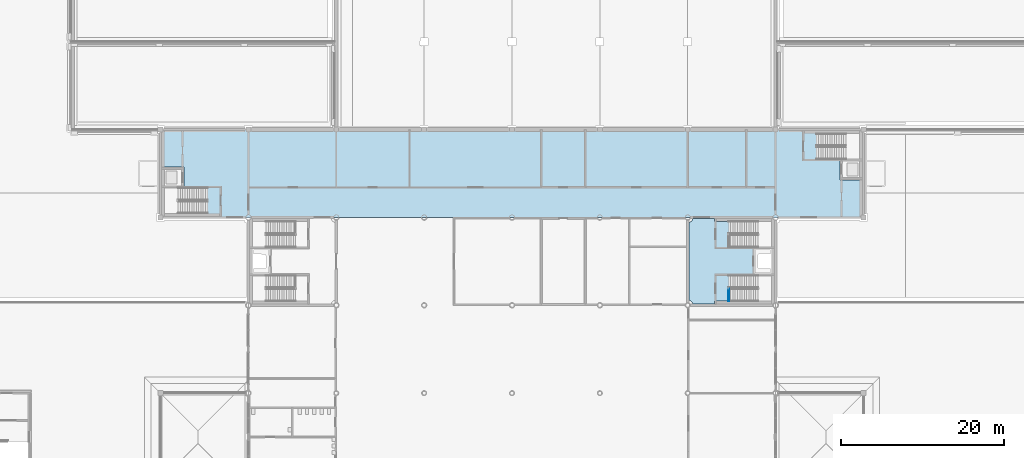
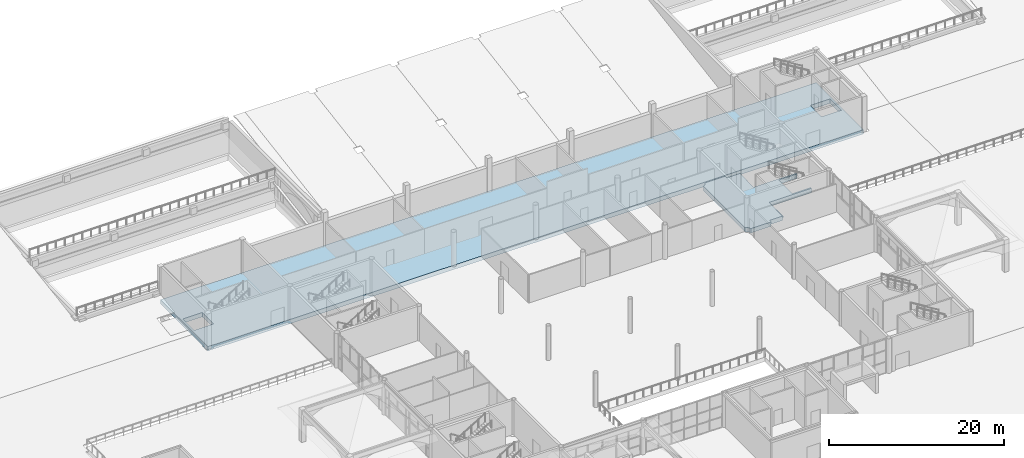
# One storey, part 41 of 91: 3 slabs.
"""IFC4 building model written with IfcOpenShell, lengths in metres."""

from ifc_helpers import new_model, si_unit, direction, frame, origin, place, context, subcontext, project, spatial, polyline, outline, extrude, material, layer, layer_set, type_object, element, save


model = new_model("IFC4")

# Units and contexts
model_context = context("Model", 3, precision=1e-05, world=origin(), true_north=direction((0.0, 1.0)))
body_context = subcontext(model_context, "Body", "Model", "MODEL_VIEW")
ifc_project = project(units=[si_unit("LENGTHUNIT", "METRE"), si_unit("AREAUNIT", "SQUARE_METRE"), si_unit("VOLUMEUNIT", "CUBIC_METRE"), si_unit("PLANEANGLEUNIT", "RADIAN"), si_unit("MASSUNIT", "GRAM", prefix="KILO")], contexts=[model_context])

# Site, building, storey
site_placement = place(None, origin())
site = spatial("IfcSite", under=ifc_project, at=site_placement, CompositionType="ELEMENT")
building_placement = place(site_placement, origin())
building = spatial("IfcBuilding", under=site, at=building_placement, Name="Magnolia Steps Interchange", CompositionType="ELEMENT")
storey_placement = place(building_placement, origin())
storey = spatial("IfcBuildingStorey", under=building, at=storey_placement, Name="L00", CompositionType="ELEMENT", Elevation=0.0)

# Slabs
ifc_material_1 = material(Name="Concrete C35", Category="concrete")
ifc_layer_1 = layer(ifc_material_1, 0.199951171875)
ifc_layer_set_1 = layer_set([ifc_layer_1], Name="Core floor nib 200")
slab_type_1 = type_object("IfcSlabType", Name="Core floor nib 200", PredefinedType="FLOOR", material=ifc_layer_set_1)
slab_1_placement = place(storey_placement, frame((0.0, 0.0, -0.199951171875)))
element("IfcSlab", 1, at=slab_1_placement, inside=storey, type_object=slab_type_1, Name="L00 core floor nib HC2", PredefinedType="FLOOR", context=body_context, shape_type="SweptSolid", body=[
    extrude(outline(polyline([(112.179931640625, 76.800048828125), (112.300048828125, 76.800048828125), (112.300048828125, 75.300048828125), (112.179931640625, 75.300048828125), (112.179931640625, 76.800048828125)])), origin(), (0.0, 0.0, 1.0), 0.199951171875),
])
ifc_material_2 = material(Name="Concrete C35", Category="concrete")
ifc_layer_2 = layer(ifc_material_2, 0.60009765625)
ifc_layer_set_2 = layer_set([ifc_layer_2], Name="Core floor slab 600")
slab_type_2 = type_object("IfcSlabType", Name="Core floor slab 600", PredefinedType="FLOOR", material=ifc_layer_set_2)
slab_2_placement = place(storey_placement, frame((0.0, 0.0, -0.60009765625)))
element("IfcSlab", 2, at=slab_2_placement, inside=storey, type_object=slab_type_2, Name="L00 core floor HC2", PredefinedType="FLOOR", context=body_context, shape_type="SweptSolid", body=[
    extrude(outline(polyline([(107.35009765625, 84.96826171875), (107.388671875, 84.97802734375), (107.44873046875, 84.99951171875), (107.50634765625, 85.02685546875), (107.56103515625, 85.0595703125), (107.6123046875, 85.097412109375), (107.65966796875, 85.140380859375), (107.702392578125, 85.1875), (107.740478515625, 85.239013671875), (107.773193359375, 85.293701171875), (107.800537109375, 85.351318359375), (107.822021484375, 85.411376953125), (107.831787109375, 85.449951171875), (110.5, 85.449951171875), (110.5, 85.10009765625), (112.25, 85.10009765625), (112.25, 83.449951171875), (112.179931640625, 83.449951171875), (112.179931640625, 81.949951171875), (117.85009765625, 81.949951171875), (117.85009765625, 81.75), (115.39990234375, 81.75), (115.39990234375, 78.64990234375), (117.85009765625, 78.64990234375), (117.85009765625, 78.449951171875), (112.25, 78.449951171875), (112.25, 76.800048828125), (112.179931640625, 76.800048828125), (112.179931640625, 75.300048828125), (110.5, 75.300048828125), (110.5, 74.949951171875), (107.831787109375, 74.949951171875), (107.822021484375, 74.98876953125), (107.800537109375, 75.048583984375), (107.773193359375, 75.1064453125), (107.740478515625, 75.1611328125), (107.702392578125, 75.21240234375), (107.65966796875, 75.259521484375), (107.6123046875, 75.302490234375), (107.56103515625, 75.340576171875), (107.50634765625, 75.373291015625), (107.44873046875, 75.400390625), (107.388671875, 75.422119140625), (107.35009765625, 75.431640625), (107.35009765625, 84.96826171875)])), origin(), (0.0, 0.0, 1.0), 0.60009765625),
])
ifc_material_3 = material(Name="Concrete C40", Category="concrete")
ifc_layer_3 = layer(ifc_material_3, 0.60009765625)
ifc_layer_set_3 = layer_set([ifc_layer_3], Name="Floor slab 600")
slab_type_3 = type_object("IfcSlabType", Name="Floor slab 600", PredefinedType="FLOOR", material=ifc_layer_set_3)
slab_3_placement = place(storey_placement, frame((0.0, 0.0, -0.60009765625)))
element("IfcSlab", 3, at=slab_3_placement, inside=storey, type_object=slab_type_3, Name="Plinth slab", PredefinedType="FLOOR", context=body_context, shape_type="SweptSolid", body=[
    extrude(outline(polyline([(128.800048828125, 96.39990234375), (42.39990234375, 96.39990234375), (42.39990234375, 85.60009765625), (53.199951171875, 85.60009765625), (118.0, 85.60009765625), (128.800048828125, 85.60009765625), (128.800048828125, 96.39990234375)]), holes=[polyline([(42.64990234375, 91.800048828125), (42.64990234375, 89.199951171875), (45.25, 89.199951171875), (45.25, 91.800048828125), (42.64990234375, 91.800048828125)]), polyline([(128.550048828125, 90.199951171875), (128.550048828125, 92.800048828125), (125.949951171875, 92.800048828125), (125.949951171875, 90.199951171875), (128.550048828125, 90.199951171875)])]), origin(), (0.0, 0.0, 1.0), 0.60009765625),
])

save(model, "model.ifc")
